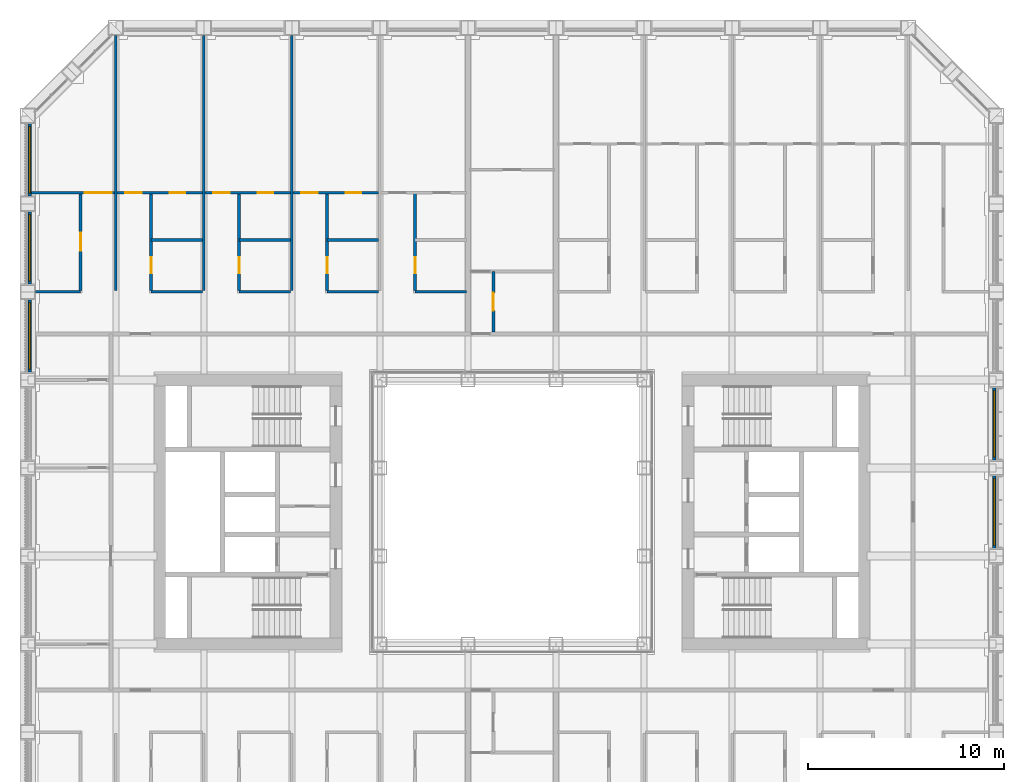
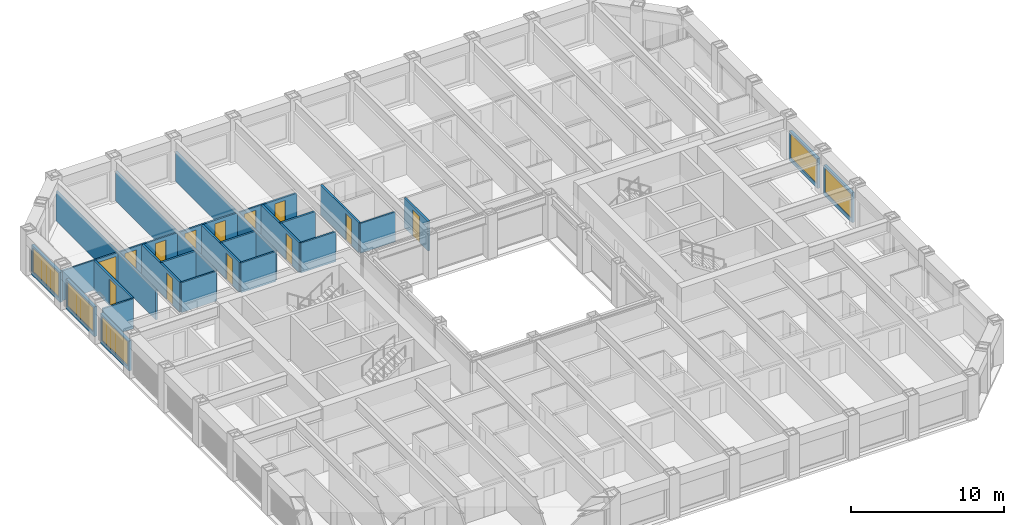
# One storey, part 13 of 21: 26 walls, 13 doors, 5 windows, 18 openings.
"""IFC4 building model written with IfcOpenShell, lengths in metres."""

from ifc_helpers import new_model, si_unit, direction, frame, frame_2d, origin, place, context, subcontext, project, spatial, rectangle, extrude, material, layer, layer_set, type_object, element, fill, save


model = new_model("IFC4")

# Units and contexts
model_context = context("Model", 3, precision=1e-05, world=origin(), true_north=direction((0.0, 1.0)))
body_context = subcontext(model_context, "Body", "Model", "MODEL_VIEW")
ifc_project = project(units=[si_unit("LENGTHUNIT", "METRE"), si_unit("AREAUNIT", "SQUARE_METRE"), si_unit("VOLUMEUNIT", "CUBIC_METRE"), si_unit("PLANEANGLEUNIT", "RADIAN"), si_unit("MASSUNIT", "GRAM", prefix="KILO")], contexts=[model_context])

# Site, building, storey
site_placement = place(None, origin())
site = spatial("IfcSite", under=ifc_project, at=site_placement, CompositionType="ELEMENT")
building_placement = place(site_placement, origin())
building = spatial("IfcBuilding", under=site, at=building_placement, Name="Msasa Ring Tower", CompositionType="ELEMENT")
storey_placement = place(building_placement, frame((0.0, 0.0, 100.0)))
storey = spatial("IfcBuildingStorey", under=building, at=storey_placement, Name="L26", CompositionType="ELEMENT", Elevation=100.0)

# Wall, opening, window
ifc_material_1 = material(Name="Terracotta rainscreen on blockwork", Category="masonry")
ifc_layer_1 = layer(ifc_material_1, 0.199951171875)
ifc_layer_set_1 = layer_set([ifc_layer_1], Name="FW1 TERRACOTTA-LINED INFILL BAY WALL 200")
wall_type_1 = type_object("IfcWallType", Name="FW1 TERRACOTTA-LINED INFILL BAY WALL 200", PredefinedType="SOLIDWALL", material=ifc_layer_set_1)
wall_1_placement = place(storey_placement, frame((24.64990234375, -1.844970703125, 0.0), z_axis=(0.0, 0.0, 1.0), x_axis=(0.0, 1.0, 0.0)))
wall_1 = element("IfcWall", 1, at=wall_1_placement, inside=storey, type_object=wall_type_1, Name="Infill bay wall E L26 15", PredefinedType="SOLIDWALL", context=body_context, shape_type="SweptSolid", body=[
    extrude(rectangle(XDim=3.68994140625, YDim=0.199951171875, at=frame_2d((1.844970703125, 0.0))), origin(), (0.0, 0.0, 1.0), 2.37890625),
])
opening_1_placement = place(wall_1_placement, frame((0.14501953125, 0.0, 0.300048828125)))
opening_1 = element("IfcOpeningElement", 2, at=opening_1_placement, cuts=wall_1, Name="Opening WN1", PredefinedType="OPENING", context=body_context, shape_type="SweptSolid", body=[
    extrude(rectangle(XDim=3.39990234375, YDim=1.928955078125, at=frame_2d((1.699951171875, 0.96435546875))), frame((0.0, 0.10986328125, 0.0), z_axis=(0.0, -1.0, 0.0), x_axis=(1.0, 0.0, 0.0)), (0.0, 0.0, 1.0), 0.219970703125),
])
ifc_material_2 = material(Name="Aluminium frame with clear glass", Category="aluminium")
window_type = type_object("IfcWindowType", Name="WN1 RESIDENCE WINDOW 3400x1929", PartitioningType="SINGLE_PANEL", PredefinedType="WINDOW", material=ifc_material_2)
window_1_placement = place(opening_1_placement, origin())
window_1 = element("IfcWindow", 3, at=window_1_placement, inside=storey, type_object=window_type, Name="Window E L26 15", OverallHeight=1.928955078125, OverallWidth=3.39990234375, PartitioningType="SINGLE_PANEL", PredefinedType="WINDOW", context=body_context, shape_type="SweptSolid", body=[
    extrude(rectangle(XDim=3.39990234375, YDim=1.928955078125, at=frame_2d((1.699951171875, 0.96435546875))), frame((0.0, 0.030029296875, 0.0), z_axis=(0.0, -1.0, 0.0), x_axis=(1.0, 0.0, 0.0)), (0.0, 0.0, 1.0), 0.06005859375),
])
fill(opening_1, window_1)

wall_2_placement = place(storey_placement, frame((24.64990234375, 2.655029296875, 0.0), z_axis=(0.0, 0.0, 1.0), x_axis=(0.0, 1.0, 0.0)))
wall_2 = element("IfcWall", 4, at=wall_2_placement, inside=storey, type_object=wall_type_1, Name="Infill bay wall E L26 16", PredefinedType="SOLIDWALL", context=body_context, shape_type="SweptSolid", body=[
    extrude(rectangle(XDim=3.68994140625, YDim=0.199951171875, at=frame_2d((1.844970703125, 0.0))), origin(), (0.0, 0.0, 1.0), 2.37890625),
])
opening_2_placement = place(wall_2_placement, frame((0.14501953125, 0.0, 0.300048828125)))
opening_2 = element("IfcOpeningElement", 5, at=opening_2_placement, cuts=wall_2, Name="Opening WN1", PredefinedType="OPENING", context=body_context, shape_type="SweptSolid", body=[
    extrude(rectangle(XDim=3.39990234375, YDim=1.928955078125, at=frame_2d((1.699951171875, 0.96435546875))), frame((0.0, 0.10986328125, 0.0), z_axis=(0.0, -1.0, 0.0), x_axis=(1.0, 0.0, 0.0)), (0.0, 0.0, 1.0), 0.219970703125),
])
window_2_placement = place(opening_2_placement, origin())
window_2 = element("IfcWindow", 6, at=window_2_placement, inside=storey, type_object=window_type, Name="Window E L26 16", OverallHeight=1.928955078125, OverallWidth=3.39990234375, PartitioningType="SINGLE_PANEL", PredefinedType="WINDOW", context=body_context, shape_type="SweptSolid", body=[
    extrude(rectangle(XDim=3.39990234375, YDim=1.928955078125, at=frame_2d((1.699951171875, 0.96435546875))), frame((0.0, 0.030029296875, 0.0), z_axis=(0.0, -1.0, 0.0), x_axis=(1.0, 0.0, 0.0)), (0.0, 0.0, 1.0), 0.06005859375),
])
fill(opening_2, window_2)

wall_3_placement = place(storey_placement, frame((-24.64990234375, 7.155029296875, 0.0), z_axis=(0.0, 0.0, 1.0), x_axis=(0.0, 1.0, 0.0)))
wall_3 = element("IfcWall", 7, at=wall_3_placement, inside=storey, type_object=wall_type_1, Name="Infill bay wall W L26 39", PredefinedType="SOLIDWALL", context=body_context, shape_type="SweptSolid", body=[
    extrude(rectangle(XDim=3.68994140625, YDim=0.199951171875, at=frame_2d((1.844970703125, 0.0))), origin(), (0.0, 0.0, 1.0), 2.37890625),
])
opening_3_placement = place(wall_3_placement, frame((0.14501953125, 0.0, 0.300048828125)))
opening_3 = element("IfcOpeningElement", 8, at=opening_3_placement, cuts=wall_3, Name="Opening WN1", PredefinedType="OPENING", context=body_context, shape_type="SweptSolid", body=[
    extrude(rectangle(XDim=3.39990234375, YDim=1.928955078125, at=frame_2d((1.699951171875, 0.96435546875))), frame((0.0, 0.10986328125, 0.0), z_axis=(0.0, -1.0, 0.0), x_axis=(1.0, 0.0, 0.0)), (0.0, 0.0, 1.0), 0.219970703125),
])
window_3_placement = place(opening_3_placement, origin())
window_3 = element("IfcWindow", 9, at=window_3_placement, inside=storey, type_object=window_type, Name="Window W L26 39", OverallHeight=1.928955078125, OverallWidth=3.39990234375, PartitioningType="SINGLE_PANEL", PredefinedType="WINDOW", context=body_context, shape_type="SweptSolid", body=[
    extrude(rectangle(XDim=3.39990234375, YDim=1.928955078125, at=frame_2d((1.699951171875, 0.96435546875))), frame((0.0, 0.030029296875, 0.0), z_axis=(0.0, -1.0, 0.0), x_axis=(1.0, 0.0, 0.0)), (0.0, 0.0, 1.0), 0.06005859375),
])
fill(opening_3, window_3)

wall_4_placement = place(storey_placement, frame((-24.64990234375, 11.655029296875, 0.0), z_axis=(0.0, 0.0, 1.0), x_axis=(0.0, 1.0, 0.0)))
wall_4 = element("IfcWall", 10, at=wall_4_placement, inside=storey, type_object=wall_type_1, Name="Infill bay wall W L26 40", PredefinedType="SOLIDWALL", context=body_context, shape_type="SweptSolid", body=[
    extrude(rectangle(XDim=3.68994140625, YDim=0.199951171875, at=frame_2d((1.844970703125, 0.0))), origin(), (0.0, 0.0, 1.0), 2.37890625),
])
opening_4_placement = place(wall_4_placement, frame((0.14501953125, 0.0, 0.300048828125)))
opening_4 = element("IfcOpeningElement", 11, at=opening_4_placement, cuts=wall_4, Name="Opening WN1", PredefinedType="OPENING", context=body_context, shape_type="SweptSolid", body=[
    extrude(rectangle(XDim=3.39990234375, YDim=1.928955078125, at=frame_2d((1.699951171875, 0.96435546875))), frame((0.0, 0.10986328125, 0.0), z_axis=(0.0, -1.0, 0.0), x_axis=(1.0, 0.0, 0.0)), (0.0, 0.0, 1.0), 0.219970703125),
])
window_4_placement = place(opening_4_placement, origin())
window_4 = element("IfcWindow", 12, at=window_4_placement, inside=storey, type_object=window_type, Name="Window W L26 40", OverallHeight=1.928955078125, OverallWidth=3.39990234375, PartitioningType="SINGLE_PANEL", PredefinedType="WINDOW", context=body_context, shape_type="SweptSolid", body=[
    extrude(rectangle(XDim=3.39990234375, YDim=1.928955078125, at=frame_2d((1.699951171875, 0.96435546875))), frame((0.0, 0.030029296875, 0.0), z_axis=(0.0, -1.0, 0.0), x_axis=(1.0, 0.0, 0.0)), (0.0, 0.0, 1.0), 0.06005859375),
])
fill(opening_4, window_4)

wall_5_placement = place(storey_placement, frame((-24.64990234375, 16.155029296875, 0.0), z_axis=(0.0, 0.0, 1.0), x_axis=(0.0, 1.0, 0.0)))
wall_5 = element("IfcWall", 13, at=wall_5_placement, inside=storey, type_object=wall_type_1, Name="Infill bay wall W L26 41", PredefinedType="SOLIDWALL", context=body_context, shape_type="SweptSolid", body=[
    extrude(rectangle(XDim=3.68994140625, YDim=0.199951171875, at=frame_2d((1.844970703125, 0.0))), origin(), (0.0, 0.0, 1.0), 2.37890625),
])
opening_5_placement = place(wall_5_placement, frame((0.14501953125, 0.0, 0.300048828125)))
opening_5 = element("IfcOpeningElement", 14, at=opening_5_placement, cuts=wall_5, Name="Opening WN1", PredefinedType="OPENING", context=body_context, shape_type="SweptSolid", body=[
    extrude(rectangle(XDim=3.39990234375, YDim=1.928955078125, at=frame_2d((1.699951171875, 0.96435546875))), frame((0.0, 0.10986328125, 0.0), z_axis=(0.0, -1.0, 0.0), x_axis=(1.0, 0.0, 0.0)), (0.0, 0.0, 1.0), 0.219970703125),
])
window_5_placement = place(opening_5_placement, origin())
window_5 = element("IfcWindow", 15, at=window_5_placement, inside=storey, type_object=window_type, Name="Window W L26 41", OverallHeight=1.928955078125, OverallWidth=3.39990234375, PartitioningType="SINGLE_PANEL", PredefinedType="WINDOW", context=body_context, shape_type="SweptSolid", body=[
    extrude(rectangle(XDim=3.39990234375, YDim=1.928955078125, at=frame_2d((1.699951171875, 0.96435546875))), frame((0.0, 0.030029296875, 0.0), z_axis=(0.0, -1.0, 0.0), x_axis=(1.0, 0.0, 0.0)), (0.0, 0.0, 1.0), 0.06005859375),
])
fill(opening_5, window_5)

# Wall, opening, door
ifc_material_3 = material(Name="Moisture-resistant board on steel studs with a concealed cistern and pipe void, tiled", Category="steel")
ifc_layer_2 = layer(ifc_material_3, 0.14990234375)
ifc_layer_set_2 = layer_set([ifc_layer_2], Name="PT4 BATHROOM WET WALL 150")
wall_type_2 = type_object("IfcWallType", Name="PT4 BATHROOM WET WALL 150", PredefinedType="PARTITIONING", material=ifc_layer_set_2)
wall_6_placement = place(storey_placement, frame((-22.050048828125, 11.3125, 0.0), z_axis=(0.0, 0.0, 1.0), x_axis=(0.0, 1.0, 0.0)))
wall_6 = element("IfcWall", 16, at=wall_6_placement, inside=storey, type_object=wall_type_2, Name="Partition L26-UN00SX0", PredefinedType="PARTITIONING", context=body_context, shape_type="SweptSolid", body=[
    extrude(rectangle(XDim=5.0, YDim=0.14990234375, at=frame_2d((2.5, 0.0))), origin(), (0.0, 0.0, 1.0), 2.373291015625),
])
opening_6_placement = place(wall_6_placement, frame((2.050048828125, 0.0, 0.0)))
opening_6 = element("IfcOpeningElement", 17, at=opening_6_placement, cuts=wall_6, Name="Opening RH-021", PredefinedType="OPENING", context=body_context, shape_type="SweptSolid", body=[
    extrude(rectangle(XDim=0.89990234375, YDim=2.10009765625, at=frame_2d((0.449951171875, 1.050048828125))), frame((0.0, 0.0849609375, 0.0), z_axis=(0.0, -1.0, 0.0), x_axis=(1.0, 0.0, 0.0)), (0.0, 0.0, 1.0), 0.169921875),
])
ifc_material_4 = material(Name="Timber door leaf in a steel frame", Category="steel")
door_type_1 = type_object("IfcDoorType", Name="D22 INTERNAL HALL DOOR 900x2100", OperationType="SINGLE_SWING_LEFT", PredefinedType="DOOR", material=ifc_material_4)
door_1_placement = place(opening_6_placement, origin())
door_1 = element("IfcDoor", 18, at=door_1_placement, inside=storey, type_object=door_type_1, Name="Door L26-UN00K", OperationType="SINGLE_SWING_LEFT", OverallHeight=2.10009765625, OverallWidth=0.89990234375, PredefinedType="DOOR", context=body_context, shape_type="SweptSolid", body=[
    extrude(rectangle(XDim=0.89990234375, YDim=2.10009765625, at=frame_2d((0.449951171875, 1.050048828125))), frame((0.0, 0.02490234375, 0.0), z_axis=(0.0, -1.0, 0.0), x_axis=(1.0, 0.0, 0.0)), (0.0, 0.0, 1.0), 0.050048828125),
])
fill(opening_6, door_1)

wall_7_placement = place(storey_placement, frame((-18.449951171875, 11.3125, 0.0), z_axis=(0.0, 0.0, 1.0), x_axis=(0.0, 1.0, 0.0)))
wall_7 = element("IfcWall", 19, at=wall_7_placement, inside=storey, type_object=wall_type_2, Name="Partition L26-UN00SX1", PredefinedType="PARTITIONING", context=body_context, shape_type="SweptSolid", body=[
    extrude(rectangle(XDim=5.0, YDim=0.14990234375, at=frame_2d((2.5, 0.0))), origin(), (0.0, 0.0, 1.0), 2.373291015625),
])
opening_7_placement = place(wall_7_placement, frame((0.89990234375, 0.0, 0.0)))
opening_7 = element("IfcOpeningElement", 20, at=opening_7_placement, cuts=wall_7, Name="Opening RH-022", PredefinedType="OPENING", context=body_context, shape_type="SweptSolid", body=[
    extrude(rectangle(XDim=0.800048828125, YDim=2.10009765625, at=frame_2d((0.39990234375, 1.050048828125))), frame((0.0, 0.0849609375, 0.0), z_axis=(0.0, -1.0, 0.0), x_axis=(1.0, 0.0, 0.0)), (0.0, 0.0, 1.0), 0.169921875),
])
ifc_material_5 = material(Name="Timber door leaf in a steel frame", Category="steel")
door_type_2 = type_object("IfcDoorType", Name="D21 POCKET SLIDING BATHROOM DOOR 800x2100", OperationType="SINGLE_SWING_LEFT", PredefinedType="DOOR", material=ifc_material_5)
door_2_placement = place(opening_7_placement, origin())
door_2 = element("IfcDoor", 21, at=door_2_placement, inside=storey, type_object=door_type_2, Name="Door L26-UN00B1", OperationType="SINGLE_SWING_LEFT", OverallHeight=2.10009765625, OverallWidth=0.800048828125, PredefinedType="DOOR", context=body_context, shape_type="SweptSolid", body=[
    extrude(rectangle(XDim=0.800048828125, YDim=2.10009765625, at=frame_2d((0.39990234375, 1.050048828125))), frame((0.0, 0.02490234375, 0.0), z_axis=(0.0, -1.0, 0.0), x_axis=(1.0, 0.0, 0.0)), (0.0, 0.0, 1.0), 0.050048828125),
])
fill(opening_7, door_2)

# Wall
wall_8_placement = place(storey_placement, frame((-18.449951171875, 13.91259765625, 0.0), z_axis=(0.0, 0.0, 1.0), x_axis=(1.0, 0.0, 0.0)))
element("IfcWall", 22, at=wall_8_placement, inside=storey, type_object=wall_type_2, Name="Partition L26-UN00SB1", PredefinedType="PARTITIONING", context=body_context, shape_type="SweptSolid", body=[
    extrude(rectangle(XDim=2.637451171875, YDim=0.14990234375, at=frame_2d((1.31884765625, 0.0))), origin(), (0.0, 0.0, 1.0), 2.373291015625),
])

# Wall, opening, door
wall_9_placement = place(storey_placement, frame((-13.949951171875, 11.3125, 0.0), z_axis=(0.0, 0.0, 1.0), x_axis=(0.0, 1.0, 0.0)))
wall_9 = element("IfcWall", 23, at=wall_9_placement, inside=storey, type_object=wall_type_2, Name="Partition L26-UN00SX2", PredefinedType="PARTITIONING", context=body_context, shape_type="SweptSolid", body=[
    extrude(rectangle(XDim=5.0, YDim=0.14990234375, at=frame_2d((2.5, 0.0))), origin(), (0.0, 0.0, 1.0), 2.373291015625),
])
opening_8_placement = place(wall_9_placement, frame((0.89990234375, 0.0, 0.0)))
opening_8 = element("IfcOpeningElement", 24, at=opening_8_placement, cuts=wall_9, Name="Opening RH-023", PredefinedType="OPENING", context=body_context, shape_type="SweptSolid", body=[
    extrude(rectangle(XDim=0.800048828125, YDim=2.10009765625, at=frame_2d((0.39990234375, 1.050048828125))), frame((0.0, 0.0849609375, 0.0), z_axis=(0.0, -1.0, 0.0), x_axis=(1.0, 0.0, 0.0)), (0.0, 0.0, 1.0), 0.169921875),
])
door_3_placement = place(opening_8_placement, origin())
door_3 = element("IfcDoor", 25, at=door_3_placement, inside=storey, type_object=door_type_2, Name="Door L26-UN00B2", OperationType="SINGLE_SWING_LEFT", OverallHeight=2.10009765625, OverallWidth=0.800048828125, PredefinedType="DOOR", context=body_context, shape_type="SweptSolid", body=[
    extrude(rectangle(XDim=0.800048828125, YDim=2.10009765625, at=frame_2d((0.39990234375, 1.050048828125))), frame((0.0, 0.02490234375, 0.0), z_axis=(0.0, -1.0, 0.0), x_axis=(1.0, 0.0, 0.0)), (0.0, 0.0, 1.0), 0.050048828125),
])
fill(opening_8, door_3)

# Wall
wall_10_placement = place(storey_placement, frame((-13.949951171875, 13.91259765625, 0.0), z_axis=(0.0, 0.0, 1.0), x_axis=(1.0, 0.0, 0.0)))
element("IfcWall", 26, at=wall_10_placement, inside=storey, type_object=wall_type_2, Name="Partition L26-UN00SB2", PredefinedType="PARTITIONING", context=body_context, shape_type="SweptSolid", body=[
    extrude(rectangle(XDim=2.637451171875, YDim=0.14990234375, at=frame_2d((1.31884765625, 0.0))), origin(), (0.0, 0.0, 1.0), 2.373291015625),
])

# Wall, opening, door
wall_11_placement = place(storey_placement, frame((-9.449951171875, 11.3125, 0.0), z_axis=(0.0, 0.0, 1.0), x_axis=(0.0, 1.0, 0.0)))
wall_11 = element("IfcWall", 27, at=wall_11_placement, inside=storey, type_object=wall_type_2, Name="Partition L26-UN00SX3", PredefinedType="PARTITIONING", context=body_context, shape_type="SweptSolid", body=[
    extrude(rectangle(XDim=5.0, YDim=0.14990234375, at=frame_2d((2.5, 0.0))), origin(), (0.0, 0.0, 1.0), 2.373291015625),
])
opening_9_placement = place(wall_11_placement, frame((0.89990234375, 0.0, 0.0)))
opening_9 = element("IfcOpeningElement", 28, at=opening_9_placement, cuts=wall_11, Name="Opening RH-024", PredefinedType="OPENING", context=body_context, shape_type="SweptSolid", body=[
    extrude(rectangle(XDim=0.800048828125, YDim=2.10009765625, at=frame_2d((0.39990234375, 1.050048828125))), frame((0.0, 0.0849609375, 0.0), z_axis=(0.0, -1.0, 0.0), x_axis=(1.0, 0.0, 0.0)), (0.0, 0.0, 1.0), 0.169921875),
])
door_4_placement = place(opening_9_placement, origin())
door_4 = element("IfcDoor", 29, at=door_4_placement, inside=storey, type_object=door_type_2, Name="Door L26-UN00B3", OperationType="SINGLE_SWING_LEFT", OverallHeight=2.10009765625, OverallWidth=0.800048828125, PredefinedType="DOOR", context=body_context, shape_type="SweptSolid", body=[
    extrude(rectangle(XDim=0.800048828125, YDim=2.10009765625, at=frame_2d((0.39990234375, 1.050048828125))), frame((0.0, 0.02490234375, 0.0), z_axis=(0.0, -1.0, 0.0), x_axis=(1.0, 0.0, 0.0)), (0.0, 0.0, 1.0), 0.050048828125),
])
fill(opening_9, door_4)

# Wall
wall_12_placement = place(storey_placement, frame((-9.449951171875, 13.91259765625, 0.0), z_axis=(0.0, 0.0, 1.0), x_axis=(1.0, 0.0, 0.0)))
element("IfcWall", 30, at=wall_12_placement, inside=storey, type_object=wall_type_2, Name="Partition L26-UN00SB3", PredefinedType="PARTITIONING", context=body_context, shape_type="SweptSolid", body=[
    extrude(rectangle(XDim=2.637451171875, YDim=0.14990234375, at=frame_2d((1.31884765625, 0.0))), origin(), (0.0, 0.0, 1.0), 2.373291015625),
])

# Wall, opening, door
wall_13_placement = place(storey_placement, frame((-4.949951171875, 11.3125, 0.0), z_axis=(0.0, 0.0, 1.0), x_axis=(0.0, 1.0, 0.0)))
wall_13 = element("IfcWall", 31, at=wall_13_placement, inside=storey, type_object=wall_type_2, Name="Partition L26-UN00SX4", PredefinedType="PARTITIONING", context=body_context, shape_type="SweptSolid", body=[
    extrude(rectangle(XDim=5.0, YDim=0.14990234375, at=frame_2d((2.5, 0.0))), origin(), (0.0, 0.0, 1.0), 2.373291015625),
])
opening_10_placement = place(wall_13_placement, frame((0.89990234375, 0.0, 0.0)))
opening_10 = element("IfcOpeningElement", 32, at=opening_10_placement, cuts=wall_13, Name="Opening RH-025", PredefinedType="OPENING", context=body_context, shape_type="SweptSolid", body=[
    extrude(rectangle(XDim=0.800048828125, YDim=2.10009765625, at=frame_2d((0.39990234375, 1.050048828125))), frame((0.0, 0.0849609375, 0.0), z_axis=(0.0, -1.0, 0.0), x_axis=(1.0, 0.0, 0.0)), (0.0, 0.0, 1.0), 0.169921875),
])
door_5_placement = place(opening_10_placement, origin())
door_5 = element("IfcDoor", 33, at=door_5_placement, inside=storey, type_object=door_type_2, Name="Door L26-UN00B4", OperationType="SINGLE_SWING_LEFT", OverallHeight=2.10009765625, OverallWidth=0.800048828125, PredefinedType="DOOR", context=body_context, shape_type="SweptSolid", body=[
    extrude(rectangle(XDim=0.800048828125, YDim=2.10009765625, at=frame_2d((0.39990234375, 1.050048828125))), frame((0.0, 0.02490234375, 0.0), z_axis=(0.0, -1.0, 0.0), x_axis=(1.0, 0.0, 0.0)), (0.0, 0.0, 1.0), 0.050048828125),
])
fill(opening_10, door_5)

wall_14_placement = place(storey_placement, frame((-0.949951171875, 9.199951171875, 0.0), z_axis=(0.0, 0.0, 1.0), x_axis=(0.0, 1.0, 0.0)))
wall_14 = element("IfcWall", 34, at=wall_14_placement, inside=storey, type_object=wall_type_2, Name="Partition L26-UN01BX", PredefinedType="PARTITIONING", context=body_context, shape_type="SweptSolid", body=[
    extrude(rectangle(XDim=3.10009765625, YDim=0.14990234375, at=frame_2d((1.550048828125, 0.0))), origin(), (0.0, 0.0, 1.0), 2.373291015625),
])
opening_11_placement = place(wall_14_placement, frame((1.10009765625, 0.0, 0.0)))
opening_11 = element("IfcOpeningElement", 35, at=opening_11_placement, cuts=wall_14, Name="Opening RH-031", PredefinedType="OPENING", context=body_context, shape_type="SweptSolid", body=[
    extrude(rectangle(XDim=0.89990234375, YDim=2.10009765625, at=frame_2d((0.449951171875, 1.050048828125))), frame((0.0, 0.0849609375, 0.0), z_axis=(0.0, -1.0, 0.0), x_axis=(1.0, 0.0, 0.0)), (0.0, 0.0, 1.0), 0.169921875),
])
ifc_material_6 = material(Name="Timber door leaf in a steel frame", Category="steel")
door_type_3 = type_object("IfcDoorType", Name="D3 BATHROOM DOOR 900x2100", OperationType="SINGLE_SWING_LEFT", PredefinedType="DOOR", material=ifc_material_6)
door_6_placement = place(opening_11_placement, origin())
door_6 = element("IfcDoor", 36, at=door_6_placement, inside=storey, type_object=door_type_3, Name="Door L26-UN01B", OperationType="SINGLE_SWING_LEFT", OverallHeight=2.10009765625, OverallWidth=0.89990234375, PredefinedType="DOOR", context=body_context, shape_type="SweptSolid", body=[
    extrude(rectangle(XDim=0.89990234375, YDim=2.10009765625, at=frame_2d((0.449951171875, 1.050048828125))), frame((0.0, 0.02490234375, 0.0), z_axis=(0.0, -1.0, 0.0), x_axis=(1.0, 0.0, 0.0)), (0.0, 0.0, 1.0), 0.050048828125),
])
fill(opening_11, door_6)

# Wall
ifc_material_7 = material(Name="Two layers of acoustic board each face on steel studs, mineral wool", Category="steel")
ifc_layer_3 = layer(ifc_material_7, 0.125)
ifc_layer_set_3 = layer_set([ifc_layer_3], Name="PT6 ACOUSTIC DOUBLE-BOARD PARTITION 125")
wall_type_3 = type_object("IfcWallType", Name="PT6 ACOUSTIC DOUBLE-BOARD PARTITION 125", PredefinedType="PARTITIONING", material=ifc_layer_set_3)
wall_15_placement = place(storey_placement, frame((-24.35009765625, 11.25, 0.0), z_axis=(0.0, 0.0, 1.0), x_axis=(1.0, 0.0, 0.0)))
element("IfcWall", 37, at=wall_15_placement, inside=storey, type_object=wall_type_3, Name="Partition L26-UN00HY0", PredefinedType="PARTITIONING", context=body_context, shape_type="SweptSolid", body=[
    extrude(rectangle(XDim=2.300048828125, YDim=0.125, at=frame_2d((1.14990234375, 0.0))), origin(), (0.0, 0.0, 1.0), 2.373291015625),
])

# Wall, opening, door
wall_16_placement = place(storey_placement, frame((-24.550048828125, 16.3125, 0.0), z_axis=(0.0, 0.0, 1.0), x_axis=(1.0, 0.0, 0.0)))
wall_16 = element("IfcWall", 38, at=wall_16_placement, inside=storey, type_object=wall_type_3, Name="Partition L26-UN00SY0", PredefinedType="PARTITIONING", context=body_context, shape_type="SweptSolid", body=[
    extrude(rectangle(XDim=4.237548828125, YDim=0.125, at=frame_2d((2.11865234375, 0.0))), origin(), (0.0, 0.0, 1.0), 2.373291015625),
])
opening_12_placement = place(wall_16_placement, frame((2.699951171875, 0.0, 0.0)))
opening_12 = element("IfcOpeningElement", 39, at=opening_12_placement, cuts=wall_16, Name="Opening RH-011", PredefinedType="OPENING", context=body_context, shape_type="SweptSolid", body=[
    extrude(rectangle(XDim=1.39990234375, YDim=2.10009765625, at=frame_2d((0.699951171875, 1.050048828125))), frame((0.0, 0.072509765625, 0.0), z_axis=(0.0, -1.0, 0.0), x_axis=(1.0, 0.0, 0.0)), (0.0, 0.0, 1.0), 0.14501953125),
])
ifc_material_8 = material(Name="Timber door leaf in a steel frame", Category="steel")
door_type_4 = type_object("IfcDoorType", Name="D15 LIVING ROOM PAIR OF GLAZED DOORS 1400x2100", OperationType="SINGLE_SWING_LEFT", PredefinedType="DOOR", material=ifc_material_8)
door_7_placement = place(opening_12_placement, origin())
door_7 = element("IfcDoor", 40, at=door_7_placement, inside=storey, type_object=door_type_4, Name="Door L26-UN00L", OperationType="SINGLE_SWING_RIGHT", OverallHeight=2.10009765625, OverallWidth=1.39990234375, PredefinedType="DOOR", context=body_context, shape_type="SweptSolid", body=[
    extrude(rectangle(XDim=1.39990234375, YDim=2.10009765625, at=frame_2d((0.699951171875, 1.050048828125))), frame((0.0, 0.02490234375, 0.0), z_axis=(0.0, -1.0, 0.0), x_axis=(1.0, 0.0, 0.0)), (0.0, 0.0, 1.0), 0.050048828125),
])
fill(opening_12, door_7)

# Walls
wall_17_placement = place(storey_placement, frame((-20.25, 11.3125, 0.0), z_axis=(0.0, 0.0, 1.0), x_axis=(0.0, 1.0, 0.0)))
element("IfcWall", 41, at=wall_17_placement, inside=storey, type_object=wall_type_3, Name="Partition L26-UN00P1", PredefinedType="PARTITIONING", context=body_context, shape_type="SweptSolid", body=[
    extrude(rectangle(XDim=13.03759765625, YDim=0.125, at=frame_2d((6.518798828125, 0.0))), origin(), (0.0, 0.0, 1.0), 2.373291015625),
])
wall_18_placement = place(storey_placement, frame((-18.449951171875, 11.25, 0.0), z_axis=(0.0, 0.0, 1.0), x_axis=(1.0, 0.0, 0.0)))
element("IfcWall", 42, at=wall_18_placement, inside=storey, type_object=wall_type_3, Name="Partition L26-UN00HY1", PredefinedType="PARTITIONING", context=body_context, shape_type="SweptSolid", body=[
    extrude(rectangle(XDim=2.632568359375, YDim=0.125, at=frame_2d((1.31640625, 0.0))), origin(), (0.0, 0.0, 1.0), 2.373291015625),
])

# Wall, openings, doors
wall_19_placement = place(storey_placement, frame((-20.1875, 16.3125, 0.0), z_axis=(0.0, 0.0, 1.0), x_axis=(1.0, 0.0, 0.0)))
wall_19 = element("IfcWall", 43, at=wall_19_placement, inside=storey, type_object=wall_type_3, Name="Partition L26-UN00SY1", PredefinedType="PARTITIONING", context=body_context, shape_type="SweptSolid", body=[
    extrude(rectangle(XDim=4.375, YDim=0.125, at=frame_2d((2.1875, 0.0))), origin(), (0.0, 0.0, 1.0), 2.373291015625),
])
opening_13_placement = place(wall_19_placement, frame((0.41259765625, 0.0, 0.0)))
opening_13 = element("IfcOpeningElement", 44, at=opening_13_placement, cuts=wall_19, Name="Opening RH-012", PredefinedType="OPENING", context=body_context, shape_type="SweptSolid", body=[
    extrude(rectangle(XDim=0.85009765625, YDim=2.10009765625, at=frame_2d((0.425048828125, 1.050048828125))), frame((0.0, 0.072509765625, 0.0), z_axis=(0.0, -1.0, 0.0), x_axis=(1.0, 0.0, 0.0)), (0.0, 0.0, 1.0), 0.14501953125),
])
opening_14_placement = place(wall_19_placement, frame((2.693603515625, 0.0, 0.0)))
opening_14 = element("IfcOpeningElement", 45, at=opening_14_placement, cuts=wall_19, Name="Opening RH-013", PredefinedType="OPENING", context=body_context, shape_type="SweptSolid", body=[
    extrude(rectangle(XDim=0.800048828125, YDim=2.10009765625, at=frame_2d((0.39990234375, 1.050048828125))), frame((0.0, 0.072509765625, 0.0), z_axis=(0.0, -1.0, 0.0), x_axis=(1.0, 0.0, 0.0)), (0.0, 0.0, 1.0), 0.14501953125),
])
ifc_material_9 = material(Name="Timber door leaf in a steel frame", Category="steel")
door_type_5 = type_object("IfcDoorType", Name="D14 BEDROOM DOOR 850x2100", OperationType="SINGLE_SWING_LEFT", PredefinedType="DOOR", material=ifc_material_9)
door_8_placement = place(opening_13_placement, origin())
door_8 = element("IfcDoor", 46, at=door_8_placement, inside=storey, type_object=door_type_5, Name="Door L26-UN00R1", OperationType="SINGLE_SWING_LEFT", OverallHeight=2.10009765625, OverallWidth=0.85009765625, PredefinedType="DOOR", context=body_context, shape_type="SweptSolid", body=[
    extrude(rectangle(XDim=0.85009765625, YDim=2.10009765625, at=frame_2d((0.425048828125, 1.050048828125))), frame((0.0, 0.02490234375, 0.0), z_axis=(0.0, -1.0, 0.0), x_axis=(1.0, 0.0, 0.0)), (0.0, 0.0, 1.0), 0.050048828125),
])
fill(opening_13, door_8)
ifc_material_10 = material(Name="Timber door leaf in a steel frame", Category="steel")
door_type_6 = type_object("IfcDoorType", Name="D60 DRESSING ROOM DOOR 800x2100", OperationType="SINGLE_SWING_LEFT", PredefinedType="DOOR", material=ifc_material_10)
door_9_placement = place(opening_14_placement, origin())
door_9 = element("IfcDoor", 47, at=door_9_placement, inside=storey, type_object=door_type_6, Name="Door L26-UN00W1", OperationType="SINGLE_SWING_RIGHT", OverallHeight=2.10009765625, OverallWidth=0.800048828125, PredefinedType="DOOR", context=body_context, shape_type="SweptSolid", body=[
    extrude(rectangle(XDim=0.800048828125, YDim=2.10009765625, at=frame_2d((0.39990234375, 1.050048828125))), frame((0.0, 0.02490234375, 0.0), z_axis=(0.0, -1.0, 0.0), x_axis=(1.0, 0.0, 0.0)), (0.0, 0.0, 1.0), 0.050048828125),
])
fill(opening_14, door_9)

# Walls
wall_20_placement = place(storey_placement, frame((-15.75, 11.3125, 0.0), z_axis=(0.0, 0.0, 1.0), x_axis=(0.0, 1.0, 0.0)))
element("IfcWall", 48, at=wall_20_placement, inside=storey, type_object=wall_type_3, Name="Partition L26-UN00P2", PredefinedType="PARTITIONING", context=body_context, shape_type="SweptSolid", body=[
    extrude(rectangle(XDim=13.03759765625, YDim=0.125, at=frame_2d((6.518798828125, 0.0))), origin(), (0.0, 0.0, 1.0), 2.373291015625),
])
wall_21_placement = place(storey_placement, frame((-13.949951171875, 11.25, 0.0), z_axis=(0.0, 0.0, 1.0), x_axis=(1.0, 0.0, 0.0)))
element("IfcWall", 49, at=wall_21_placement, inside=storey, type_object=wall_type_3, Name="Partition L26-UN00HY2", PredefinedType="PARTITIONING", context=body_context, shape_type="SweptSolid", body=[
    extrude(rectangle(XDim=2.632568359375, YDim=0.125, at=frame_2d((1.31640625, 0.0))), origin(), (0.0, 0.0, 1.0), 2.373291015625),
])

# Wall, openings, doors
wall_22_placement = place(storey_placement, frame((-15.6875, 16.3125, 0.0), z_axis=(0.0, 0.0, 1.0), x_axis=(1.0, 0.0, 0.0)))
wall_22 = element("IfcWall", 50, at=wall_22_placement, inside=storey, type_object=wall_type_3, Name="Partition L26-UN00SY2", PredefinedType="PARTITIONING", context=body_context, shape_type="SweptSolid", body=[
    extrude(rectangle(XDim=4.375, YDim=0.125, at=frame_2d((2.1875, 0.0))), origin(), (0.0, 0.0, 1.0), 2.373291015625),
])
opening_15_placement = place(wall_22_placement, frame((0.41259765625, 0.0, 0.0)))
opening_15 = element("IfcOpeningElement", 51, at=opening_15_placement, cuts=wall_22, Name="Opening RH-014", PredefinedType="OPENING", context=body_context, shape_type="SweptSolid", body=[
    extrude(rectangle(XDim=0.85009765625, YDim=2.10009765625, at=frame_2d((0.425048828125, 1.050048828125))), frame((0.0, 0.072509765625, 0.0), z_axis=(0.0, -1.0, 0.0), x_axis=(1.0, 0.0, 0.0)), (0.0, 0.0, 1.0), 0.14501953125),
])
opening_16_placement = place(wall_22_placement, frame((2.693603515625, 0.0, 0.0)))
opening_16 = element("IfcOpeningElement", 52, at=opening_16_placement, cuts=wall_22, Name="Opening RH-015", PredefinedType="OPENING", context=body_context, shape_type="SweptSolid", body=[
    extrude(rectangle(XDim=0.800048828125, YDim=2.10009765625, at=frame_2d((0.39990234375, 1.050048828125))), frame((0.0, 0.072509765625, 0.0), z_axis=(0.0, -1.0, 0.0), x_axis=(1.0, 0.0, 0.0)), (0.0, 0.0, 1.0), 0.14501953125),
])
door_10_placement = place(opening_15_placement, origin())
door_10 = element("IfcDoor", 53, at=door_10_placement, inside=storey, type_object=door_type_5, Name="Door L26-UN00R2", OperationType="SINGLE_SWING_LEFT", OverallHeight=2.10009765625, OverallWidth=0.85009765625, PredefinedType="DOOR", context=body_context, shape_type="SweptSolid", body=[
    extrude(rectangle(XDim=0.85009765625, YDim=2.10009765625, at=frame_2d((0.425048828125, 1.050048828125))), frame((0.0, 0.02490234375, 0.0), z_axis=(0.0, -1.0, 0.0), x_axis=(1.0, 0.0, 0.0)), (0.0, 0.0, 1.0), 0.050048828125),
])
fill(opening_15, door_10)
door_11_placement = place(opening_16_placement, origin())
door_11 = element("IfcDoor", 54, at=door_11_placement, inside=storey, type_object=door_type_6, Name="Door L26-UN00W2", OperationType="SINGLE_SWING_RIGHT", OverallHeight=2.10009765625, OverallWidth=0.800048828125, PredefinedType="DOOR", context=body_context, shape_type="SweptSolid", body=[
    extrude(rectangle(XDim=0.800048828125, YDim=2.10009765625, at=frame_2d((0.39990234375, 1.050048828125))), frame((0.0, 0.02490234375, 0.0), z_axis=(0.0, -1.0, 0.0), x_axis=(1.0, 0.0, 0.0)), (0.0, 0.0, 1.0), 0.050048828125),
])
fill(opening_16, door_11)

# Walls
wall_23_placement = place(storey_placement, frame((-11.25, 11.3125, 0.0), z_axis=(0.0, 0.0, 1.0), x_axis=(0.0, 1.0, 0.0)))
element("IfcWall", 55, at=wall_23_placement, inside=storey, type_object=wall_type_3, Name="Partition L26-UN00P3", PredefinedType="PARTITIONING", context=body_context, shape_type="SweptSolid", body=[
    extrude(rectangle(XDim=13.03759765625, YDim=0.125, at=frame_2d((6.518798828125, 0.0))), origin(), (0.0, 0.0, 1.0), 2.373291015625),
])
wall_24_placement = place(storey_placement, frame((-9.449951171875, 11.25, 0.0), z_axis=(0.0, 0.0, 1.0), x_axis=(1.0, 0.0, 0.0)))
element("IfcWall", 56, at=wall_24_placement, inside=storey, type_object=wall_type_3, Name="Partition L26-UN00HY3", PredefinedType="PARTITIONING", context=body_context, shape_type="SweptSolid", body=[
    extrude(rectangle(XDim=2.632568359375, YDim=0.125, at=frame_2d((1.31640625, 0.0))), origin(), (0.0, 0.0, 1.0), 2.373291015625),
])

# Wall, openings, doors
wall_25_placement = place(storey_placement, frame((-11.1875, 16.3125, 0.0), z_axis=(0.0, 0.0, 1.0), x_axis=(1.0, 0.0, 0.0)))
wall_25 = element("IfcWall", 57, at=wall_25_placement, inside=storey, type_object=wall_type_3, Name="Partition L26-UN00SY3", PredefinedType="PARTITIONING", context=body_context, shape_type="SweptSolid", body=[
    extrude(rectangle(XDim=4.375, YDim=0.125, at=frame_2d((2.1875, 0.0))), origin(), (0.0, 0.0, 1.0), 2.373291015625),
])
opening_17_placement = place(wall_25_placement, frame((0.41259765625, 0.0, 0.0)))
opening_17 = element("IfcOpeningElement", 58, at=opening_17_placement, cuts=wall_25, Name="Opening RH-016", PredefinedType="OPENING", context=body_context, shape_type="SweptSolid", body=[
    extrude(rectangle(XDim=0.85009765625, YDim=2.10009765625, at=frame_2d((0.425048828125, 1.050048828125))), frame((0.0, 0.072509765625, 0.0), z_axis=(0.0, -1.0, 0.0), x_axis=(1.0, 0.0, 0.0)), (0.0, 0.0, 1.0), 0.14501953125),
])
opening_18_placement = place(wall_25_placement, frame((2.693603515625, 0.0, 0.0)))
opening_18 = element("IfcOpeningElement", 59, at=opening_18_placement, cuts=wall_25, Name="Opening RH-017", PredefinedType="OPENING", context=body_context, shape_type="SweptSolid", body=[
    extrude(rectangle(XDim=0.800048828125, YDim=2.10009765625, at=frame_2d((0.39990234375, 1.050048828125))), frame((0.0, 0.072509765625, 0.0), z_axis=(0.0, -1.0, 0.0), x_axis=(1.0, 0.0, 0.0)), (0.0, 0.0, 1.0), 0.14501953125),
])
door_12_placement = place(opening_17_placement, origin())
door_12 = element("IfcDoor", 60, at=door_12_placement, inside=storey, type_object=door_type_5, Name="Door L26-UN00R3", OperationType="SINGLE_SWING_LEFT", OverallHeight=2.10009765625, OverallWidth=0.85009765625, PredefinedType="DOOR", context=body_context, shape_type="SweptSolid", body=[
    extrude(rectangle(XDim=0.85009765625, YDim=2.10009765625, at=frame_2d((0.425048828125, 1.050048828125))), frame((0.0, 0.02490234375, 0.0), z_axis=(0.0, -1.0, 0.0), x_axis=(1.0, 0.0, 0.0)), (0.0, 0.0, 1.0), 0.050048828125),
])
fill(opening_17, door_12)
door_13_placement = place(opening_18_placement, origin())
door_13 = element("IfcDoor", 61, at=door_13_placement, inside=storey, type_object=door_type_6, Name="Door L26-UN00W3", OperationType="SINGLE_SWING_RIGHT", OverallHeight=2.10009765625, OverallWidth=0.800048828125, PredefinedType="DOOR", context=body_context, shape_type="SweptSolid", body=[
    extrude(rectangle(XDim=0.800048828125, YDim=2.10009765625, at=frame_2d((0.39990234375, 1.050048828125))), frame((0.0, 0.02490234375, 0.0), z_axis=(0.0, -1.0, 0.0), x_axis=(1.0, 0.0, 0.0)), (0.0, 0.0, 1.0), 0.050048828125),
])
fill(opening_18, door_13)

# Wall
wall_26_placement = place(storey_placement, frame((-4.949951171875, 11.25, 0.0), z_axis=(0.0, 0.0, 1.0), x_axis=(1.0, 0.0, 0.0)))
element("IfcWall", 62, at=wall_26_placement, inside=storey, type_object=wall_type_3, Name="Partition L26-UN00HY4", PredefinedType="PARTITIONING", context=body_context, shape_type="SweptSolid", body=[
    extrude(rectangle(XDim=2.632568359375, YDim=0.125, at=frame_2d((1.31640625, 0.0))), origin(), (0.0, 0.0, 1.0), 2.373291015625),
])

save(model, "model.ifc")
